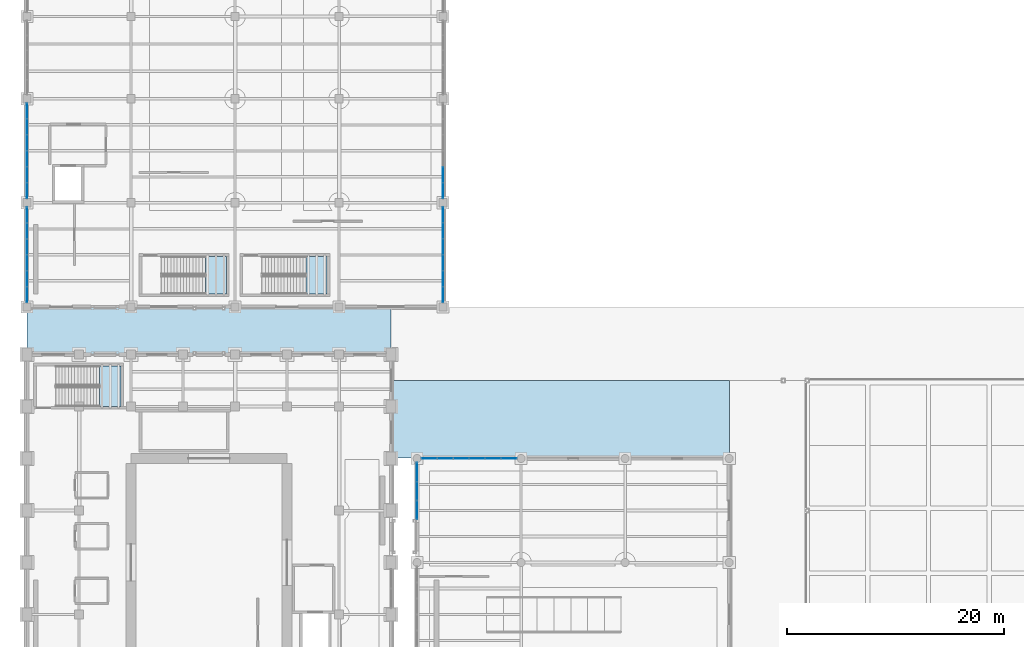
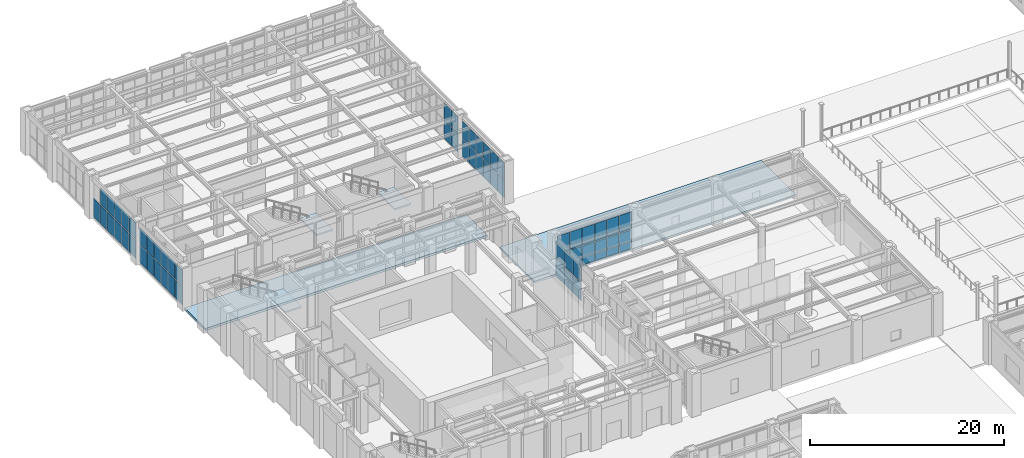
# One storey, part 119 of 164: 57 plates, 5 slabs, 9 elements without a shape of their own.
"""IFC4 building model written with IfcOpenShell, lengths in metres."""

import ifcopenshell
import ifcopenshell.guid

model = None  # the IFC model being written
_history = None  # IfcOwnerHistory: only IFC2X3 demands one
_inside = {}  # id of a spatial element -> (the spatial element, [elements in it])
_under = {}  # id of a project, library or spatial element -> (it, [spatial elements below it])
_declared = {}  # id of a project -> (the project, [libraries it declares])
_typed = {}  # id of a type object -> (the type object, [elements of that type])
_made_of = {}  # id of a material, layer set ... -> (it, [elements and type objects made of it])


def new_model(schema):
    """Start an empty IFC model of exactly this schema.

    Asked for "IFC4X3", IfcOpenShell would pick the latest addendum, in which some entities
    have other attributes; the version numbers below select the first issue.
    IFC2X3 requires an IfcOwnerHistory on every rooted entity: one is made here for all.
    """
    global model, _history
    if schema == "IFC4X3":
        model = ifcopenshell.file(schema_version=(4, 3, 0, 0))
    else:
        model = ifcopenshell.file(schema=schema)
    _inside.clear()
    _under.clear()
    _declared.clear()
    _typed.clear()
    _made_of.clear()
    _history = None
    if model.schema == "IFC2X3":
        org = make("IfcOrganization", Name="unknown")
        user = make(
            "IfcPersonAndOrganization",
            ThePerson=make("IfcPerson", FamilyName="unknown"),
            TheOrganization=org,
        )
        app = make(
            "IfcApplication",
            ApplicationDeveloper=org,
            Version="unknown",
            ApplicationFullName="unknown",
            ApplicationIdentifier="unknown",
        )
        _history = make(
            "IfcOwnerHistory",
            OwningUser=user,
            OwningApplication=app,
            ChangeAction="ADDED",
            CreationDate=0,
        )
    return model


def make(cls, **values):
    """One entity of the class cls with the attributes given. An attribute that is None is left unset."""
    return model.create_entity(
        cls, **{name: value for name, value in values.items() if value is not None}
    )


def rooted(cls, **values):
    """An entity with a GlobalId (a new one), such as an element, a storey or a relation."""
    return make(cls, GlobalId=ifcopenshell.guid.new(), OwnerHistory=_history, **values)


def si_unit(unit_type, name, prefix=None):
    """IfcSIUnit, for example si_unit("LENGTHUNIT", "METRE", prefix="MILLI")."""
    return make("IfcSIUnit", UnitType=unit_type, Prefix=prefix, Name=name)


def assignment(units):
    """IfcUnitAssignment: the units of a project."""
    return None if units is None else make("IfcUnitAssignment", Units=units)


def point(xyz):
    """IfcCartesianPoint."""
    return None if xyz is None else make("IfcCartesianPoint", Coordinates=xyz)


def direction(xyz):
    """IfcDirection."""
    return None if xyz is None else make("IfcDirection", DirectionRatios=xyz)


def frame(location, z_axis=None, x_axis=None):
    """IfcAxis2Placement3D, a coordinate frame: its origin and axes. An axis left out is left unset."""
    return make(
        "IfcAxis2Placement3D",
        Location=point(location),
        Axis=direction(z_axis),
        RefDirection=direction(x_axis),
    )


def frame_2d(location, x_axis=None):
    """IfcAxis2Placement2D, a coordinate frame in the plane: its origin and x axis."""
    return make(
        "IfcAxis2Placement2D", Location=point(location), RefDirection=direction(x_axis)
    )


def origin():
    """The frame at (0, 0, 0) with its axes left unset."""
    return frame((0.0, 0.0, 0.0))


def origin_2d():
    """The frame at (0, 0) in the plane with its x axis left unset."""
    return frame_2d((0.0, 0.0))


def place(relative_to, where):
    """IfcLocalPlacement: puts the frame where relative to a parent placement (None: the world)."""
    return make(
        "IfcLocalPlacement", PlacementRelTo=relative_to, RelativePlacement=where
    )


def context(
    kind, dimensions, precision=None, world=None, true_north=None, identifier=None
):
    """IfcGeometricRepresentationContext, for example the 3D "Model" context."""
    return make(
        "IfcGeometricRepresentationContext",
        ContextIdentifier=identifier,
        ContextType=kind,
        CoordinateSpaceDimension=dimensions,
        Precision=precision,
        WorldCoordinateSystem=world,
        TrueNorth=true_north,
    )


def subcontext(parent, identifier, kind, view, scale=None):
    """IfcGeometricRepresentationSubContext, for example "Body" below "Model"."""
    return make(
        "IfcGeometricRepresentationSubContext",
        ContextIdentifier=identifier,
        ContextType=kind,
        ParentContext=parent,
        TargetScale=scale,
        TargetView=view,
    )


def project(units=None, contexts=None):
    """IfcProject with its units and contexts."""
    return rooted(
        "IfcProject",
        Name="project",
        RepresentationContexts=contexts,
        UnitsInContext=assignment(units),
    )


def spatial(cls, under=None, at=None, **own):
    """A site, building, storey or space (cls), placed at a placement, below another one or the project."""
    s = rooted(cls, ObjectPlacement=at, **own)
    if under is not None:
        _under.setdefault(under.id(), (under, []))[1].append(s)
    return s


def polyline(points):
    """IfcPolyline through the points."""
    return make("IfcPolyline", Points=[point(p) for p in points])


def profile(cls, at=None, kind="AREA", **sizes):
    """A parametric profile (cls). Its sizes go by their IFC names, for example OverallWidth=200.0."""
    return make(cls, ProfileType=kind, Position=at, **sizes)


def rectangle(**sizes):
    """IfcRectangleProfileDef."""
    return profile("IfcRectangleProfileDef", **sizes)


def outline(outer, holes=None, kind="AREA"):
    """IfcArbitraryClosedProfileDef: a profile drawn as a closed curve; with holes, ...WithVoids."""
    if holes is None:
        return make("IfcArbitraryClosedProfileDef", ProfileType=kind, OuterCurve=outer)
    return make(
        "IfcArbitraryProfileDefWithVoids",
        ProfileType=kind,
        OuterCurve=outer,
        InnerCurves=holes,
    )


def extrude(swept, where, along, depth):
    """IfcExtrudedAreaSolid: the profile swept, set in the frame where, extruded along a direction by depth."""
    return make(
        "IfcExtrudedAreaSolid",
        SweptArea=swept,
        Position=where,
        ExtrudedDirection=direction(along),
        Depth=depth,
    )


def shape(context_of_items, identifier, shape_type, items):
    """IfcShapeRepresentation: the items that make up one representation, for example the "Body"."""
    return make(
        "IfcShapeRepresentation",
        ContextOfItems=context_of_items,
        RepresentationIdentifier=identifier,
        RepresentationType=shape_type,
        Items=items,
    )


def material(Name=None, Category=None):
    """IfcMaterial."""
    return make("IfcMaterial", Name=Name, Category=Category)


def layer(
    of_material, thickness, ventilated=None, Name=None, Category=None, Priority=None
):
    """IfcMaterialLayer: one layer of a wall or slab, of a material (None: an air gap)."""
    return make(
        "IfcMaterialLayer",
        Material=of_material,
        LayerThickness=thickness,
        IsVentilated=ventilated,
        Name=Name,
        Category=Category,
        Priority=Priority,
    )


def layer_set(layers, Name=None):
    """IfcMaterialLayerSet."""
    return make("IfcMaterialLayerSet", MaterialLayers=layers, LayerSetName=Name)


def made_of(thing, what):
    """Note that an element or type object is made of a material, layer set ...; save() writes the relation."""
    if what is not None:
        _made_of.setdefault(what.id(), (what, []))[1].append(thing)
    return thing


def type_object(cls, material=None, **own):
    """A type object (cls), such as IfcWallType, which elements share."""
    return made_of(rooted(cls, **own), material)


def element(
    cls,
    number,
    at=None,
    inside=None,
    cuts=None,
    type_object=None,
    material=None,
    context=None,
    identifier="Body",
    shape_type=None,
    held_by="IfcProductDefinitionShape",
    body=None,
    shapes=None,
    **own,
):
    """One element of the class cls, such as IfcWall. Its Tag is "e" and its number.

    at: its placement. inside: the storey or other place that contains it. cuts: it is an
    opening in that element (IfcRelVoidsElement). A single representation is given by context,
    identifier, shape_type and body (its items); several are given by shapes. held_by: the class
    of the entity that holds the representations. save() writes the other relations.
    """
    e = rooted(cls, Tag="e%d" % number, ObjectPlacement=at, **own)
    if body is not None:
        shapes = [shape(context, identifier, shape_type, body)]
    if shapes is not None:
        e.Representation = make(held_by, Representations=shapes)
    if inside is not None:
        _inside.setdefault(inside.id(), (inside, []))[1].append(e)
    if cuts is not None:
        rooted(
            "IfcRelVoidsElement", RelatingBuildingElement=cuts, RelatedOpeningElement=e
        )
    if type_object is not None:
        _typed.setdefault(type_object.id(), (type_object, []))[1].append(e)
    return made_of(e, material)


def aggregate(whole, parts):
    """IfcRelAggregates: a whole, such as a stair, and the parts it consists of."""
    return rooted("IfcRelAggregates", RelatingObject=whole, RelatedObjects=parts)


def save(model, path):
    """Write the relations noted so far, then the file.

    IfcRelAggregates (storeys below a building ...), IfcRelContainedInSpatialStructure (elements
    in a storey), IfcRelDefinesByType, IfcRelAssociatesMaterial and IfcRelDeclares: one each for
    every whole, place, type object, material and project.
    """
    for whole, parts in _under.values():
        aggregate(whole, parts)
    for where, things in _inside.values():
        rooted(
            "IfcRelContainedInSpatialStructure",
            RelatedElements=things,
            RelatingStructure=where,
        )
    for kind, things in _typed.values():
        rooted("IfcRelDefinesByType", RelatedObjects=things, RelatingType=kind)
    for what, things in _made_of.values():
        rooted("IfcRelAssociatesMaterial", RelatedObjects=things, RelatingMaterial=what)
    for by, libraries in _declared.values():
        rooted("IfcRelDeclares", RelatingContext=by, RelatedDefinitions=libraries)
    model.write(path)


model = new_model("IFC4")

# Units and contexts
model_context = context("Model", 3, precision=1e-05, world=origin(), true_north=direction((0.0, 1.0)))
body_context = subcontext(model_context, "Body", "Model", "MODEL_VIEW")
ifc_project = project(units=[si_unit("LENGTHUNIT", "METRE"), si_unit("AREAUNIT", "SQUARE_METRE"), si_unit("VOLUMEUNIT", "CUBIC_METRE"), si_unit("PLANEANGLEUNIT", "RADIAN"), si_unit("MASSUNIT", "GRAM", prefix="KILO")], contexts=[model_context])

# Site, building, storey
site_placement = place(None, origin())
site = spatial("IfcSite", under=ifc_project, at=site_placement, CompositionType="ELEMENT")
building_placement = place(site_placement, origin())
building = spatial("IfcBuilding", under=site, at=building_placement, Name="Mavantir Sound Aquarium", CompositionType="ELEMENT")
storey_placement = place(building_placement, origin())
storey = spatial("IfcBuildingStorey", under=building, at=storey_placement, Name="L00", CompositionType="ELEMENT", Elevation=0.0)

# Curtain wall, plates
ifc_material_1 = material(Name="Anodised Marine Aluminium and Low-E Glass", Category="aluminium")
curtain_wall_type_1 = type_object("IfcCurtainWallType", Name="CW-T03", PredefinedType="USERDEFINED", material=ifc_material_1)
curtain_wall_1_placement = place(storey_placement, origin())
curtain_wall_1 = element("IfcCurtainWall", 1, at=curtain_wall_1_placement, inside=storey, type_object=curtain_wall_type_1, Name="L00 unitised curtain wall CW-03 3", ObjectType="UNITISED GLAZING", PredefinedType="USERDEFINED")
ifc_material_2 = material(Name="Solar-Control Laminated Low-E Glass", Category="glass")
ifc_layer_1 = layer(ifc_material_2, 0.028076171875, Name="Solar-Control Laminated Low-E Glass")
ifc_layer_set_1 = layer_set([ifc_layer_1], Name="Solar-Control Laminated Low-E Glass")
plate_type_1 = type_object("IfcPlateType", Name="CW-PNL-28", PredefinedType="CURTAIN_PANEL", material=ifc_layer_set_1)
plate_1_placement = place(storey_placement, frame((36.0, 68.3447265625, 0.10302734375), z_axis=(0.0, 0.0, 1.0), x_axis=(0.0, -1.0, 0.0)))
plate_1 = element("IfcPlate", 2, at=plate_1_placement, type_object=plate_type_1, Name="CW-L00-003 glazed curtain panel 1.1", PredefinedType="CURTAIN_PANEL", context=body_context, shape_type="SweptSolid", body=[
    extrude(rectangle(XDim=1.69677734375, YDim=0.028076171875, at=origin_2d()), origin(), (0.0, 0.0, 1.0), 2.251953125),
])
plate_2_placement = place(storey_placement, frame((36.0, 68.3447265625, 2.45068359375), z_axis=(0.0, 0.0, 1.0), x_axis=(0.0, -1.0, 0.0)))
plate_2 = element("IfcPlate", 3, at=plate_2_placement, type_object=plate_type_1, Name="CW-L00-003 glazed curtain panel 1.2", PredefinedType="CURTAIN_PANEL", context=body_context, shape_type="SweptSolid", body=[
    extrude(rectangle(XDim=1.69677734375, YDim=0.028076171875, at=origin_2d()), origin(), (0.0, 0.0, 1.0), 2.067138671875),
])
plate_3_placement = place(storey_placement, frame((36.0, 66.60009765625, 0.10302734375), z_axis=(0.0, 0.0, 1.0), x_axis=(0.0, -1.0, 0.0)))
plate_3 = element("IfcPlate", 4, at=plate_3_placement, type_object=plate_type_1, Name="CW-L00-003 glazed curtain panel 2.1", PredefinedType="CURTAIN_PANEL", context=body_context, shape_type="SweptSolid", body=[
    extrude(rectangle(XDim=1.69677734375, YDim=0.028076171875, at=origin_2d()), origin(), (0.0, 0.0, 1.0), 2.251953125),
])
plate_4_placement = place(storey_placement, frame((36.0, 66.60009765625, 2.45068359375), z_axis=(0.0, 0.0, 1.0), x_axis=(0.0, -1.0, 0.0)))
plate_4 = element("IfcPlate", 5, at=plate_4_placement, type_object=plate_type_1, Name="CW-L00-003 glazed curtain panel 2.2", PredefinedType="CURTAIN_PANEL", context=body_context, shape_type="SweptSolid", body=[
    extrude(rectangle(XDim=1.69677734375, YDim=0.028076171875, at=origin_2d()), origin(), (0.0, 0.0, 1.0), 2.067138671875),
])
plate_5_placement = place(storey_placement, frame((36.0, 64.855224609375, 0.10302734375), z_axis=(0.0, 0.0, 1.0), x_axis=(0.0, -1.0, 0.0)))
plate_5 = element("IfcPlate", 6, at=plate_5_placement, type_object=plate_type_1, Name="CW-L00-003 glazed curtain panel 3.1", PredefinedType="CURTAIN_PANEL", context=body_context, shape_type="SweptSolid", body=[
    extrude(rectangle(XDim=1.69677734375, YDim=0.028076171875, at=origin_2d()), origin(), (0.0, 0.0, 1.0), 2.251953125),
])
plate_6_placement = place(storey_placement, frame((36.0, 64.855224609375, 2.45068359375), z_axis=(0.0, 0.0, 1.0), x_axis=(0.0, -1.0, 0.0)))
plate_6 = element("IfcPlate", 7, at=plate_6_placement, type_object=plate_type_1, Name="CW-L00-003 glazed curtain panel 3.2", PredefinedType="CURTAIN_PANEL", context=body_context, shape_type="SweptSolid", body=[
    extrude(rectangle(XDim=1.69677734375, YDim=0.028076171875, at=origin_2d()), origin(), (0.0, 0.0, 1.0), 2.067138671875),
])
aggregate(curtain_wall_1, [plate_1, plate_2, plate_3, plate_4, plate_5, plate_6])

curtain_wall_type_2 = type_object("IfcCurtainWallType", Name="CW-T07", PredefinedType="USERDEFINED", material=ifc_material_1)
curtain_wall_2_placement = place(storey_placement, origin())
curtain_wall_2 = element("IfcCurtainWall", 8, at=curtain_wall_2_placement, inside=storey, type_object=curtain_wall_type_2, Name="L00 unitised curtain wall CW-07 31", ObjectType="UNITISED GLAZING", PredefinedType="USERDEFINED")
plate_7_placement = place(storey_placement, frame((38.39990234375, 84.71923828125, 0.10302734375), z_axis=(0.0, 0.0, 1.0), x_axis=(0.0, 1.0, 0.0)))
plate_7 = element("IfcPlate", 9, at=plate_7_placement, type_object=plate_type_1, Name="CW-L00-031 glazed curtain panel 1.1", PredefinedType="CURTAIN_PANEL", context=body_context, shape_type="SweptSolid", body=[
    extrude(rectangle(XDim=1.42431640625, YDim=0.028076171875, at=origin_2d()), origin(), (0.0, 0.0, 1.0), 2.2666015625),
])
plate_8_placement = place(storey_placement, frame((38.39990234375, 84.71923828125, 2.46533203125), z_axis=(0.0, 0.0, 1.0), x_axis=(0.0, 1.0, 0.0)))
plate_8 = element("IfcPlate", 10, at=plate_8_placement, type_object=plate_type_1, Name="CW-L00-031 glazed curtain panel 1.2", PredefinedType="CURTAIN_PANEL", context=body_context, shape_type="SweptSolid", body=[
    extrude(rectangle(XDim=1.42431640625, YDim=0.028076171875, at=origin_2d()), origin(), (0.0, 0.0, 1.0), 2.08056640625),
])
plate_9_placement = place(storey_placement, frame((38.39990234375, 86.19140625, 0.10302734375), z_axis=(0.0, 0.0, 1.0), x_axis=(0.0, 1.0, 0.0)))
plate_9 = element("IfcPlate", 11, at=plate_9_placement, type_object=plate_type_1, Name="CW-L00-031 glazed curtain panel 2.1", PredefinedType="CURTAIN_PANEL", context=body_context, shape_type="SweptSolid", body=[
    extrude(rectangle(XDim=1.42431640625, YDim=0.028076171875, at=origin_2d()), origin(), (0.0, 0.0, 1.0), 2.2666015625),
])
plate_10_placement = place(storey_placement, frame((38.39990234375, 86.19140625, 2.46533203125), z_axis=(0.0, 0.0, 1.0), x_axis=(0.0, 1.0, 0.0)))
plate_10 = element("IfcPlate", 12, at=plate_10_placement, type_object=plate_type_1, Name="CW-L00-031 glazed curtain panel 2.2", PredefinedType="CURTAIN_PANEL", context=body_context, shape_type="SweptSolid", body=[
    extrude(rectangle(XDim=1.42431640625, YDim=0.028076171875, at=origin_2d()), origin(), (0.0, 0.0, 1.0), 2.08056640625),
])
plate_11_placement = place(storey_placement, frame((38.39990234375, 87.663818359375, 0.10302734375), z_axis=(0.0, 0.0, 1.0), x_axis=(0.0, 1.0, 0.0)))
plate_11 = element("IfcPlate", 13, at=plate_11_placement, type_object=plate_type_1, Name="CW-L00-031 glazed curtain panel 3.1", PredefinedType="CURTAIN_PANEL", context=body_context, shape_type="SweptSolid", body=[
    extrude(rectangle(XDim=1.42431640625, YDim=0.028076171875, at=origin_2d()), origin(), (0.0, 0.0, 1.0), 2.2666015625),
])
plate_12_placement = place(storey_placement, frame((38.39990234375, 87.663818359375, 2.46533203125), z_axis=(0.0, 0.0, 1.0), x_axis=(0.0, 1.0, 0.0)))
plate_12 = element("IfcPlate", 14, at=plate_12_placement, type_object=plate_type_1, Name="CW-L00-031 glazed curtain panel 3.2", PredefinedType="CURTAIN_PANEL", context=body_context, shape_type="SweptSolid", body=[
    extrude(rectangle(XDim=1.42431640625, YDim=0.028076171875, at=origin_2d()), origin(), (0.0, 0.0, 1.0), 2.08056640625),
])
plate_13_placement = place(storey_placement, frame((38.39990234375, 89.13623046875, 0.10302734375), z_axis=(0.0, 0.0, 1.0), x_axis=(0.0, 1.0, 0.0)))
plate_13 = element("IfcPlate", 15, at=plate_13_placement, type_object=plate_type_1, Name="CW-L00-031 glazed curtain panel 4.1", PredefinedType="CURTAIN_PANEL", context=body_context, shape_type="SweptSolid", body=[
    extrude(rectangle(XDim=1.42431640625, YDim=0.028076171875, at=origin_2d()), origin(), (0.0, 0.0, 1.0), 2.2666015625),
])
plate_14_placement = place(storey_placement, frame((38.39990234375, 89.13623046875, 2.46533203125), z_axis=(0.0, 0.0, 1.0), x_axis=(0.0, 1.0, 0.0)))
plate_14 = element("IfcPlate", 16, at=plate_14_placement, type_object=plate_type_1, Name="CW-L00-031 glazed curtain panel 4.2", PredefinedType="CURTAIN_PANEL", context=body_context, shape_type="SweptSolid", body=[
    extrude(rectangle(XDim=1.42431640625, YDim=0.028076171875, at=origin_2d()), origin(), (0.0, 0.0, 1.0), 2.08056640625),
])
plate_15_placement = place(storey_placement, frame((38.39990234375, 90.6083984375, 0.10302734375), z_axis=(0.0, 0.0, 1.0), x_axis=(0.0, 1.0, 0.0)))
plate_15 = element("IfcPlate", 17, at=plate_15_placement, type_object=plate_type_1, Name="CW-L00-031 glazed curtain panel 5.1", PredefinedType="CURTAIN_PANEL", context=body_context, shape_type="SweptSolid", body=[
    extrude(rectangle(XDim=1.42431640625, YDim=0.028076171875, at=origin_2d()), origin(), (0.0, 0.0, 1.0), 2.2666015625),
])
plate_16_placement = place(storey_placement, frame((38.39990234375, 90.6083984375, 2.46533203125), z_axis=(0.0, 0.0, 1.0), x_axis=(0.0, 1.0, 0.0)))
plate_16 = element("IfcPlate", 18, at=plate_16_placement, type_object=plate_type_1, Name="CW-L00-031 glazed curtain panel 5.2", PredefinedType="CURTAIN_PANEL", context=body_context, shape_type="SweptSolid", body=[
    extrude(rectangle(XDim=1.42431640625, YDim=0.028076171875, at=origin_2d()), origin(), (0.0, 0.0, 1.0), 2.08056640625),
])
plate_17_placement = place(storey_placement, frame((38.39990234375, 92.080810546875, 0.10302734375), z_axis=(0.0, 0.0, 1.0), x_axis=(0.0, 1.0, 0.0)))
plate_17 = element("IfcPlate", 19, at=plate_17_placement, type_object=plate_type_1, Name="CW-L00-031 glazed curtain panel 6.1", PredefinedType="CURTAIN_PANEL", context=body_context, shape_type="SweptSolid", body=[
    extrude(rectangle(XDim=1.42431640625, YDim=0.028076171875, at=origin_2d()), origin(), (0.0, 0.0, 1.0), 2.2666015625),
])
plate_18_placement = place(storey_placement, frame((38.39990234375, 92.080810546875, 2.46533203125), z_axis=(0.0, 0.0, 1.0), x_axis=(0.0, 1.0, 0.0)))
plate_18 = element("IfcPlate", 20, at=plate_18_placement, type_object=plate_type_1, Name="CW-L00-031 glazed curtain panel 6.2", PredefinedType="CURTAIN_PANEL", context=body_context, shape_type="SweptSolid", body=[
    extrude(rectangle(XDim=1.42431640625, YDim=0.028076171875, at=origin_2d()), origin(), (0.0, 0.0, 1.0), 2.08056640625),
])
aggregate(curtain_wall_2, [plate_7, plate_8, plate_9, plate_10, plate_11, plate_12, plate_13, plate_14, plate_15, plate_16, plate_17, plate_18])

curtain_wall_type_3 = type_object("IfcCurtainWallType", Name="CW-T21", PredefinedType="USERDEFINED", material=ifc_material_1)
curtain_wall_3_placement = place(storey_placement, origin())
curtain_wall_3 = element("IfcCurtainWall", 21, at=curtain_wall_3_placement, inside=storey, type_object=curtain_wall_type_3, Name="L00 unitised curtain wall CW-21 45", ObjectType="UNITISED GLAZING", PredefinedType="USERDEFINED")
plate_19_placement = place(storey_placement, frame((0.0, 101.680908203125, 0.10302734375), z_axis=(0.0, 0.0, 1.0), x_axis=(0.0, -1.0, 0.0)))
plate_19 = element("IfcPlate", 22, at=plate_19_placement, type_object=plate_type_1, Name="CW-L00-045 glazed curtain panel 1.1", PredefinedType="CURTAIN_PANEL", context=body_context, shape_type="SweptSolid", body=[
    extrude(rectangle(XDim=1.42431640625, YDim=0.028076171875, at=origin_2d()), origin(), (0.0, 0.0, 1.0), 2.322021484375),
])
plate_20_placement = place(storey_placement, frame((0.0, 100.20849609375, 0.10302734375), z_axis=(0.0, 0.0, 1.0), x_axis=(0.0, -1.0, 0.0)))
plate_20 = element("IfcPlate", 23, at=plate_20_placement, type_object=plate_type_1, Name="CW-L00-045 glazed curtain panel 2.1", PredefinedType="CURTAIN_PANEL", context=body_context, shape_type="SweptSolid", body=[
    extrude(rectangle(XDim=1.42431640625, YDim=0.028076171875, at=origin_2d()), origin(), (0.0, 0.0, 1.0), 2.322021484375),
])
plate_21_placement = place(storey_placement, frame((0.0, 100.20849609375, 2.52099609375), z_axis=(0.0, 0.0, 1.0), x_axis=(0.0, -1.0, 0.0)))
plate_21 = element("IfcPlate", 24, at=plate_21_placement, type_object=plate_type_1, Name="CW-L00-045 glazed curtain panel 2.2", PredefinedType="CURTAIN_PANEL", context=body_context, shape_type="SweptSolid", body=[
    extrude(rectangle(XDim=1.42431640625, YDim=0.028076171875, at=origin_2d()), origin(), (0.0, 0.0, 1.0), 2.1318359375),
])
plate_22_placement = place(storey_placement, frame((0.0, 98.736083984375, 0.10302734375), z_axis=(0.0, 0.0, 1.0), x_axis=(0.0, -1.0, 0.0)))
plate_22 = element("IfcPlate", 25, at=plate_22_placement, type_object=plate_type_1, Name="CW-L00-045 glazed curtain panel 3.1", PredefinedType="CURTAIN_PANEL", context=body_context, shape_type="SweptSolid", body=[
    extrude(rectangle(XDim=1.42431640625, YDim=0.028076171875, at=origin_2d()), origin(), (0.0, 0.0, 1.0), 2.322021484375),
])
plate_23_placement = place(storey_placement, frame((0.0, 98.736083984375, 2.52099609375), z_axis=(0.0, 0.0, 1.0), x_axis=(0.0, -1.0, 0.0)))
plate_23 = element("IfcPlate", 26, at=plate_23_placement, type_object=plate_type_1, Name="CW-L00-045 glazed curtain panel 3.2", PredefinedType="CURTAIN_PANEL", context=body_context, shape_type="SweptSolid", body=[
    extrude(rectangle(XDim=1.42431640625, YDim=0.028076171875, at=origin_2d()), origin(), (0.0, 0.0, 1.0), 2.1318359375),
])
plate_24_placement = place(storey_placement, frame((0.0, 97.263916015625, 0.10302734375), z_axis=(0.0, 0.0, 1.0), x_axis=(0.0, -1.0, 0.0)))
plate_24 = element("IfcPlate", 27, at=plate_24_placement, type_object=plate_type_1, Name="CW-L00-045 glazed curtain panel 4.1", PredefinedType="CURTAIN_PANEL", context=body_context, shape_type="SweptSolid", body=[
    extrude(rectangle(XDim=1.42431640625, YDim=0.028076171875, at=origin_2d()), origin(), (0.0, 0.0, 1.0), 2.322021484375),
])
plate_25_placement = place(storey_placement, frame((0.0, 97.263916015625, 2.52099609375), z_axis=(0.0, 0.0, 1.0), x_axis=(0.0, -1.0, 0.0)))
plate_25 = element("IfcPlate", 28, at=plate_25_placement, type_object=plate_type_1, Name="CW-L00-045 glazed curtain panel 4.2", PredefinedType="CURTAIN_PANEL", context=body_context, shape_type="SweptSolid", body=[
    extrude(rectangle(XDim=1.42431640625, YDim=0.028076171875, at=origin_2d()), origin(), (0.0, 0.0, 1.0), 2.1318359375),
])
plate_26_placement = place(storey_placement, frame((0.0, 95.79150390625, 0.10302734375), z_axis=(0.0, 0.0, 1.0), x_axis=(0.0, -1.0, 0.0)))
plate_26 = element("IfcPlate", 29, at=plate_26_placement, type_object=plate_type_1, Name="CW-L00-045 glazed curtain panel 5.1", PredefinedType="CURTAIN_PANEL", context=body_context, shape_type="SweptSolid", body=[
    extrude(rectangle(XDim=1.42431640625, YDim=0.028076171875, at=origin_2d()), origin(), (0.0, 0.0, 1.0), 2.322021484375),
])
plate_27_placement = place(storey_placement, frame((0.0, 95.79150390625, 2.52099609375), z_axis=(0.0, 0.0, 1.0), x_axis=(0.0, -1.0, 0.0)))
plate_27 = element("IfcPlate", 30, at=plate_27_placement, type_object=plate_type_1, Name="CW-L00-045 glazed curtain panel 5.2", PredefinedType="CURTAIN_PANEL", context=body_context, shape_type="SweptSolid", body=[
    extrude(rectangle(XDim=1.42431640625, YDim=0.028076171875, at=origin_2d()), origin(), (0.0, 0.0, 1.0), 2.1318359375),
])
plate_28_placement = place(storey_placement, frame((0.0, 94.319091796875, 0.10302734375), z_axis=(0.0, 0.0, 1.0), x_axis=(0.0, -1.0, 0.0)))
plate_28 = element("IfcPlate", 31, at=plate_28_placement, type_object=plate_type_1, Name="CW-L00-045 glazed curtain panel 6.1", PredefinedType="CURTAIN_PANEL", context=body_context, shape_type="SweptSolid", body=[
    extrude(rectangle(XDim=1.42431640625, YDim=0.028076171875, at=origin_2d()), origin(), (0.0, 0.0, 1.0), 2.322021484375),
])
plate_29_placement = place(storey_placement, frame((0.0, 94.319091796875, 2.52099609375), z_axis=(0.0, 0.0, 1.0), x_axis=(0.0, -1.0, 0.0)))
plate_29 = element("IfcPlate", 32, at=plate_29_placement, type_object=plate_type_1, Name="CW-L00-045 glazed curtain panel 6.2", PredefinedType="CURTAIN_PANEL", context=body_context, shape_type="SweptSolid", body=[
    extrude(rectangle(XDim=1.42431640625, YDim=0.028076171875, at=origin_2d()), origin(), (0.0, 0.0, 1.0), 2.1318359375),
])
aggregate(curtain_wall_3, [plate_19, plate_20, plate_21, plate_22, plate_23, plate_24, plate_25, plate_26, plate_27, plate_28, plate_29])

curtain_wall_type_4 = type_object("IfcCurtainWallType", Name="CW-T02", PredefinedType="USERDEFINED", material=ifc_material_1)
curtain_wall_4_placement = place(storey_placement, origin())
curtain_wall_4 = element("IfcCurtainWall", 33, at=curtain_wall_4_placement, inside=storey, type_object=curtain_wall_type_4, Name="L00 unitised curtain wall CW-02 2", ObjectType="UNITISED GLAZING", PredefinedType="USERDEFINED")
ifc_layer_2 = layer(ifc_material_2, 0.031982421875, Name="Solar-Control Laminated Low-E Glass")
ifc_layer_set_2 = layer_set([ifc_layer_2], Name="Solar-Control Laminated Low-E Glass")
plate_type_2 = type_object("IfcPlateType", Name="CW-PNL-32", PredefinedType="CURTAIN_PANEL", material=ifc_layer_set_2)
plate_30_placement = place(storey_placement, frame((44.480712890625, 69.60009765625, 0.10302734375), z_axis=(0.0, 0.0, 1.0), x_axis=(-1.0, 0.0, 0.0)))
plate_30 = element("IfcPlate", 34, at=plate_30_placement, type_object=plate_type_2, Name="CW-L00-002 glazed curtain panel 1.1", PredefinedType="CURTAIN_PANEL", context=body_context, shape_type="SweptSolid", body=[
    extrude(rectangle(XDim=1.42431640625, YDim=0.031982421875, at=origin_2d()), origin(), (0.0, 0.0, 1.0), 2.377685546875),
])
plate_31_placement = place(storey_placement, frame((44.480712890625, 69.60009765625, 2.576904296875), z_axis=(0.0, 0.0, 1.0), x_axis=(-1.0, 0.0, 0.0)))
plate_31 = element("IfcPlate", 35, at=plate_31_placement, type_object=plate_type_2, Name="CW-L00-002 glazed curtain panel 1.2", PredefinedType="CURTAIN_PANEL", context=body_context, shape_type="SweptSolid", body=[
    extrude(rectangle(XDim=1.42431640625, YDim=0.031982421875, at=origin_2d()), origin(), (0.0, 0.0, 1.0), 2.18310546875),
])
plate_32_placement = place(storey_placement, frame((43.008544921875, 69.60009765625, 0.10302734375), z_axis=(0.0, 0.0, 1.0), x_axis=(-1.0, 0.0, 0.0)))
plate_32 = element("IfcPlate", 36, at=plate_32_placement, type_object=plate_type_2, Name="CW-L00-002 glazed curtain panel 2.1", PredefinedType="CURTAIN_PANEL", context=body_context, shape_type="SweptSolid", body=[
    extrude(rectangle(XDim=1.42431640625, YDim=0.031982421875, at=origin_2d()), origin(), (0.0, 0.0, 1.0), 2.377685546875),
])
plate_33_placement = place(storey_placement, frame((43.008544921875, 69.60009765625, 2.576904296875), z_axis=(0.0, 0.0, 1.0), x_axis=(-1.0, 0.0, 0.0)))
plate_33 = element("IfcPlate", 37, at=plate_33_placement, type_object=plate_type_2, Name="CW-L00-002 glazed curtain panel 2.2", PredefinedType="CURTAIN_PANEL", context=body_context, shape_type="SweptSolid", body=[
    extrude(rectangle(XDim=1.42431640625, YDim=0.031982421875, at=origin_2d()), origin(), (0.0, 0.0, 1.0), 2.18310546875),
])
plate_34_placement = place(storey_placement, frame((41.5361328125, 69.60009765625, 0.10302734375), z_axis=(0.0, 0.0, 1.0), x_axis=(-1.0, 0.0, 0.0)))
plate_34 = element("IfcPlate", 38, at=plate_34_placement, type_object=plate_type_2, Name="CW-L00-002 glazed curtain panel 3.1", PredefinedType="CURTAIN_PANEL", context=body_context, shape_type="SweptSolid", body=[
    extrude(rectangle(XDim=1.42431640625, YDim=0.031982421875, at=origin_2d()), origin(), (0.0, 0.0, 1.0), 2.377685546875),
])
plate_35_placement = place(storey_placement, frame((41.5361328125, 69.60009765625, 2.576904296875), z_axis=(0.0, 0.0, 1.0), x_axis=(-1.0, 0.0, 0.0)))
plate_35 = element("IfcPlate", 39, at=plate_35_placement, type_object=plate_type_2, Name="CW-L00-002 glazed curtain panel 3.2", PredefinedType="CURTAIN_PANEL", context=body_context, shape_type="SweptSolid", body=[
    extrude(rectangle(XDim=1.42431640625, YDim=0.031982421875, at=origin_2d()), origin(), (0.0, 0.0, 1.0), 2.18310546875),
])
plate_36_placement = place(storey_placement, frame((40.063720703125, 69.60009765625, 0.10302734375), z_axis=(0.0, 0.0, 1.0), x_axis=(-1.0, 0.0, 0.0)))
plate_36 = element("IfcPlate", 40, at=plate_36_placement, type_object=plate_type_2, Name="CW-L00-002 glazed curtain panel 4.1", PredefinedType="CURTAIN_PANEL", context=body_context, shape_type="SweptSolid", body=[
    extrude(rectangle(XDim=1.42431640625, YDim=0.031982421875, at=origin_2d()), origin(), (0.0, 0.0, 1.0), 2.377685546875),
])
plate_37_placement = place(storey_placement, frame((40.063720703125, 69.60009765625, 2.576904296875), z_axis=(0.0, 0.0, 1.0), x_axis=(-1.0, 0.0, 0.0)))
plate_37 = element("IfcPlate", 41, at=plate_37_placement, type_object=plate_type_2, Name="CW-L00-002 glazed curtain panel 4.2", PredefinedType="CURTAIN_PANEL", context=body_context, shape_type="SweptSolid", body=[
    extrude(rectangle(XDim=1.42431640625, YDim=0.031982421875, at=origin_2d()), origin(), (0.0, 0.0, 1.0), 2.18310546875),
])
plate_38_placement = place(storey_placement, frame((38.591552734375, 69.60009765625, 0.10302734375), z_axis=(0.0, 0.0, 1.0), x_axis=(-1.0, 0.0, 0.0)))
plate_38 = element("IfcPlate", 42, at=plate_38_placement, type_object=plate_type_2, Name="CW-L00-002 glazed curtain panel 5.1", PredefinedType="CURTAIN_PANEL", context=body_context, shape_type="SweptSolid", body=[
    extrude(rectangle(XDim=1.42431640625, YDim=0.031982421875, at=origin_2d()), origin(), (0.0, 0.0, 1.0), 2.377685546875),
])
plate_39_placement = place(storey_placement, frame((38.591552734375, 69.60009765625, 2.576904296875), z_axis=(0.0, 0.0, 1.0), x_axis=(-1.0, 0.0, 0.0)))
plate_39 = element("IfcPlate", 43, at=plate_39_placement, type_object=plate_type_2, Name="CW-L00-002 glazed curtain panel 5.2", PredefinedType="CURTAIN_PANEL", context=body_context, shape_type="SweptSolid", body=[
    extrude(rectangle(XDim=1.42431640625, YDim=0.031982421875, at=origin_2d()), origin(), (0.0, 0.0, 1.0), 2.18310546875),
])
plate_40_placement = place(storey_placement, frame((37.119140625, 69.60009765625, 0.10302734375), z_axis=(0.0, 0.0, 1.0), x_axis=(-1.0, 0.0, 0.0)))
plate_40 = element("IfcPlate", 44, at=plate_40_placement, type_object=plate_type_2, Name="CW-L00-002 glazed curtain panel 6.1", PredefinedType="CURTAIN_PANEL", context=body_context, shape_type="SweptSolid", body=[
    extrude(rectangle(XDim=1.42431640625, YDim=0.031982421875, at=origin_2d()), origin(), (0.0, 0.0, 1.0), 2.377685546875),
])
plate_41_placement = place(storey_placement, frame((37.119140625, 69.60009765625, 2.576904296875), z_axis=(0.0, 0.0, 1.0), x_axis=(-1.0, 0.0, 0.0)))
plate_41 = element("IfcPlate", 45, at=plate_41_placement, type_object=plate_type_2, Name="CW-L00-002 glazed curtain panel 6.2", PredefinedType="CURTAIN_PANEL", context=body_context, shape_type="SweptSolid", body=[
    extrude(rectangle(XDim=1.42431640625, YDim=0.031982421875, at=origin_2d()), origin(), (0.0, 0.0, 1.0), 2.18310546875),
])
aggregate(curtain_wall_4, [plate_30, plate_31, plate_32, plate_33, plate_34, plate_35, plate_36, plate_37, plate_38, plate_39, plate_40, plate_41])

curtain_wall_type_5 = type_object("IfcCurtainWallType", Name="CW-T08", PredefinedType="USERDEFINED", material=ifc_material_1)
curtain_wall_5_placement = place(storey_placement, origin())
curtain_wall_5 = element("IfcCurtainWall", 46, at=curtain_wall_5_placement, inside=storey, type_object=curtain_wall_type_5, Name="L00 unitised curtain wall CW-08 32", ObjectType="UNITISED GLAZING", PredefinedType="USERDEFINED")
plate_42_placement = place(storey_placement, frame((38.39990234375, 94.319091796875, 0.10302734375), z_axis=(0.0, 0.0, 1.0), x_axis=(0.0, 1.0, 0.0)))
plate_42 = element("IfcPlate", 47, at=plate_42_placement, type_object=plate_type_2, Name="CW-L00-032 glazed curtain panel 1.1", PredefinedType="CURTAIN_PANEL", context=body_context, shape_type="SweptSolid", body=[
    extrude(rectangle(XDim=1.42431640625, YDim=0.031982421875, at=origin_2d()), origin(), (0.0, 0.0, 1.0), 2.2666015625),
])
plate_43_placement = place(storey_placement, frame((38.39990234375, 94.319091796875, 2.46533203125), z_axis=(0.0, 0.0, 1.0), x_axis=(0.0, 1.0, 0.0)))
plate_43 = element("IfcPlate", 48, at=plate_43_placement, type_object=plate_type_2, Name="CW-L00-032 glazed curtain panel 1.2", PredefinedType="CURTAIN_PANEL", context=body_context, shape_type="SweptSolid", body=[
    extrude(rectangle(XDim=1.42431640625, YDim=0.031982421875, at=origin_2d()), origin(), (0.0, 0.0, 1.0), 2.08056640625),
])
plate_44_placement = place(storey_placement, frame((38.39990234375, 95.79150390625, 0.10302734375), z_axis=(0.0, 0.0, 1.0), x_axis=(0.0, 1.0, 0.0)))
plate_44 = element("IfcPlate", 49, at=plate_44_placement, type_object=plate_type_2, Name="CW-L00-032 glazed curtain panel 2.1", PredefinedType="CURTAIN_PANEL", context=body_context, shape_type="SweptSolid", body=[
    extrude(rectangle(XDim=1.42431640625, YDim=0.031982421875, at=origin_2d()), origin(), (0.0, 0.0, 1.0), 2.2666015625),
])
plate_45_placement = place(storey_placement, frame((38.39990234375, 95.79150390625, 2.46533203125), z_axis=(0.0, 0.0, 1.0), x_axis=(0.0, 1.0, 0.0)))
plate_45 = element("IfcPlate", 50, at=plate_45_placement, type_object=plate_type_2, Name="CW-L00-032 glazed curtain panel 2.2", PredefinedType="CURTAIN_PANEL", context=body_context, shape_type="SweptSolid", body=[
    extrude(rectangle(XDim=1.42431640625, YDim=0.031982421875, at=origin_2d()), origin(), (0.0, 0.0, 1.0), 2.08056640625),
])
aggregate(curtain_wall_5, [plate_42, plate_43, plate_44, plate_45])

curtain_wall_type_6 = type_object("IfcCurtainWallType", Name="CW-T22", PredefinedType="USERDEFINED", material=ifc_material_1)
curtain_wall_6_placement = place(storey_placement, origin())
curtain_wall_6 = element("IfcCurtainWall", 51, at=curtain_wall_6_placement, inside=storey, type_object=curtain_wall_type_6, Name="L00 unitised curtain wall CW-22 46", ObjectType="UNITISED GLAZING", PredefinedType="USERDEFINED")
plate_46_placement = place(storey_placement, frame((0.0, 92.080810546875, 0.10302734375), z_axis=(0.0, 0.0, 1.0), x_axis=(0.0, -1.0, 0.0)))
plate_46 = element("IfcPlate", 52, at=plate_46_placement, type_object=plate_type_2, Name="CW-L00-046 glazed curtain panel 1.1", PredefinedType="CURTAIN_PANEL", context=body_context, shape_type="SweptSolid", body=[
    extrude(rectangle(XDim=1.42431640625, YDim=0.031982421875, at=origin_2d()), origin(), (0.0, 0.0, 1.0), 2.2666015625),
])
plate_47_placement = place(storey_placement, frame((0.0, 92.080810546875, 2.46533203125), z_axis=(0.0, 0.0, 1.0), x_axis=(0.0, -1.0, 0.0)))
plate_47 = element("IfcPlate", 53, at=plate_47_placement, type_object=plate_type_2, Name="CW-L00-046 glazed curtain panel 1.2", PredefinedType="CURTAIN_PANEL", context=body_context, shape_type="SweptSolid", body=[
    extrude(rectangle(XDim=1.42431640625, YDim=0.031982421875, at=origin_2d()), origin(), (0.0, 0.0, 1.0), 2.08056640625),
])
plate_48_placement = place(storey_placement, frame((0.0, 90.6083984375, 0.10302734375), z_axis=(0.0, 0.0, 1.0), x_axis=(0.0, -1.0, 0.0)))
plate_48 = element("IfcPlate", 54, at=plate_48_placement, type_object=plate_type_2, Name="CW-L00-046 glazed curtain panel 2.1", PredefinedType="CURTAIN_PANEL", context=body_context, shape_type="SweptSolid", body=[
    extrude(rectangle(XDim=1.42431640625, YDim=0.031982421875, at=origin_2d()), origin(), (0.0, 0.0, 1.0), 2.2666015625),
])
plate_49_placement = place(storey_placement, frame((0.0, 90.6083984375, 2.46533203125), z_axis=(0.0, 0.0, 1.0), x_axis=(0.0, -1.0, 0.0)))
plate_49 = element("IfcPlate", 55, at=plate_49_placement, type_object=plate_type_2, Name="CW-L00-046 glazed curtain panel 2.2", PredefinedType="CURTAIN_PANEL", context=body_context, shape_type="SweptSolid", body=[
    extrude(rectangle(XDim=1.42431640625, YDim=0.031982421875, at=origin_2d()), origin(), (0.0, 0.0, 1.0), 2.08056640625),
])
plate_50_placement = place(storey_placement, frame((0.0, 89.13623046875, 0.10302734375), z_axis=(0.0, 0.0, 1.0), x_axis=(0.0, -1.0, 0.0)))
plate_50 = element("IfcPlate", 56, at=plate_50_placement, type_object=plate_type_2, Name="CW-L00-046 glazed curtain panel 3.1", PredefinedType="CURTAIN_PANEL", context=body_context, shape_type="SweptSolid", body=[
    extrude(rectangle(XDim=1.42431640625, YDim=0.031982421875, at=origin_2d()), origin(), (0.0, 0.0, 1.0), 2.2666015625),
])
plate_51_placement = place(storey_placement, frame((0.0, 89.13623046875, 2.46533203125), z_axis=(0.0, 0.0, 1.0), x_axis=(0.0, -1.0, 0.0)))
plate_51 = element("IfcPlate", 57, at=plate_51_placement, type_object=plate_type_2, Name="CW-L00-046 glazed curtain panel 3.2", PredefinedType="CURTAIN_PANEL", context=body_context, shape_type="SweptSolid", body=[
    extrude(rectangle(XDim=1.42431640625, YDim=0.031982421875, at=origin_2d()), origin(), (0.0, 0.0, 1.0), 2.08056640625),
])
plate_52_placement = place(storey_placement, frame((0.0, 87.663818359375, 0.10302734375), z_axis=(0.0, 0.0, 1.0), x_axis=(0.0, -1.0, 0.0)))
plate_52 = element("IfcPlate", 58, at=plate_52_placement, type_object=plate_type_2, Name="CW-L00-046 glazed curtain panel 4.1", PredefinedType="CURTAIN_PANEL", context=body_context, shape_type="SweptSolid", body=[
    extrude(rectangle(XDim=1.42431640625, YDim=0.031982421875, at=origin_2d()), origin(), (0.0, 0.0, 1.0), 2.2666015625),
])
plate_53_placement = place(storey_placement, frame((0.0, 87.663818359375, 2.46533203125), z_axis=(0.0, 0.0, 1.0), x_axis=(0.0, -1.0, 0.0)))
plate_53 = element("IfcPlate", 59, at=plate_53_placement, type_object=plate_type_2, Name="CW-L00-046 glazed curtain panel 4.2", PredefinedType="CURTAIN_PANEL", context=body_context, shape_type="SweptSolid", body=[
    extrude(rectangle(XDim=1.42431640625, YDim=0.031982421875, at=origin_2d()), origin(), (0.0, 0.0, 1.0), 2.08056640625),
])
plate_54_placement = place(storey_placement, frame((0.0, 86.19140625, 0.10302734375), z_axis=(0.0, 0.0, 1.0), x_axis=(0.0, -1.0, 0.0)))
plate_54 = element("IfcPlate", 60, at=plate_54_placement, type_object=plate_type_2, Name="CW-L00-046 glazed curtain panel 5.1", PredefinedType="CURTAIN_PANEL", context=body_context, shape_type="SweptSolid", body=[
    extrude(rectangle(XDim=1.42431640625, YDim=0.031982421875, at=origin_2d()), origin(), (0.0, 0.0, 1.0), 2.2666015625),
])
plate_55_placement = place(storey_placement, frame((0.0, 86.19140625, 2.46533203125), z_axis=(0.0, 0.0, 1.0), x_axis=(0.0, -1.0, 0.0)))
plate_55 = element("IfcPlate", 61, at=plate_55_placement, type_object=plate_type_2, Name="CW-L00-046 glazed curtain panel 5.2", PredefinedType="CURTAIN_PANEL", context=body_context, shape_type="SweptSolid", body=[
    extrude(rectangle(XDim=1.42431640625, YDim=0.031982421875, at=origin_2d()), origin(), (0.0, 0.0, 1.0), 2.08056640625),
])
plate_56_placement = place(storey_placement, frame((0.0, 84.71923828125, 0.10302734375), z_axis=(0.0, 0.0, 1.0), x_axis=(0.0, -1.0, 0.0)))
plate_56 = element("IfcPlate", 62, at=plate_56_placement, type_object=plate_type_2, Name="CW-L00-046 glazed curtain panel 6.1", PredefinedType="CURTAIN_PANEL", context=body_context, shape_type="SweptSolid", body=[
    extrude(rectangle(XDim=1.42431640625, YDim=0.031982421875, at=origin_2d()), origin(), (0.0, 0.0, 1.0), 2.2666015625),
])
plate_57_placement = place(storey_placement, frame((0.0, 84.71923828125, 2.46533203125), z_axis=(0.0, 0.0, 1.0), x_axis=(0.0, -1.0, 0.0)))
plate_57 = element("IfcPlate", 63, at=plate_57_placement, type_object=plate_type_2, Name="CW-L00-046 glazed curtain panel 6.2", PredefinedType="CURTAIN_PANEL", context=body_context, shape_type="SweptSolid", body=[
    extrude(rectangle(XDim=1.42431640625, YDim=0.031982421875, at=origin_2d()), origin(), (0.0, 0.0, 1.0), 2.08056640625),
])
aggregate(curtain_wall_6, [plate_46, plate_47, plate_48, plate_49, plate_50, plate_51, plate_52, plate_53, plate_54, plate_55, plate_56, plate_57])

# Slabs
ifc_material_3 = material(Name="Concrete C40/50", Category="concrete")
ifc_layer_3 = layer(ifc_material_3, 0.300048828125, Name="Concrete C40/50")
ifc_layer_set_3 = layer_set([ifc_layer_3], Name="Concrete C40/50")
slab_type_1 = type_object("IfcSlabType", Name="SLB-ES-01", PredefinedType="FLOOR", material=ifc_layer_set_3)
slab_1_placement = place(storey_placement, frame((0.0, 0.0, -0.300048828125)))
element("IfcSlab", 64, at=slab_1_placement, inside=storey, type_object=slab_type_1, Name="L00 outdoor apron slab ES-01", PredefinedType="FLOOR", context=body_context, shape_type="SweptSolid", body=[
    extrude(outline(polyline([(0.0, 79.25), (33.60009765625, 79.25), (33.60009765625, 83.550048828125), (0.0, 83.550048828125), (0.0, 79.25)])), origin(), (0.0, 0.0, 1.0), 0.300048828125),
])
ifc_layer_4 = layer(ifc_material_3, 0.25, Name="Concrete C40/50")
ifc_layer_set_4 = layer_set([ifc_layer_4], Name="Concrete C40/50")
slab_type_2 = type_object("IfcSlabType", Name="SLB-ES-02", PredefinedType="FLOOR", material=ifc_layer_set_4)
slab_2_placement = place(storey_placement, frame((0.0, 0.0, -0.25)))
element("IfcSlab", 65, at=slab_2_placement, inside=storey, type_object=slab_type_2, Name="L00 outdoor apron slab ES-02", PredefinedType="FLOOR", context=body_context, shape_type="SweptSolid", body=[
    extrude(outline(polyline([(33.64990234375, 69.64990234375), (64.85009765625, 69.64990234375), (64.85009765625, 76.800048828125), (33.64990234375, 76.800048828125), (33.64990234375, 69.64990234375)])), origin(), (0.0, 0.0, 1.0), 0.25),
])

# Stair, slab
stair_type_1 = type_object("IfcStairType", Name="STR-1800-5400", PredefinedType="HALF_TURN_STAIR", material=ifc_material_3)
stair_1_placement = place(storey_placement, origin())
stair_1 = element("IfcStair", 66, at=stair_1_placement, inside=storey, type_object=stair_type_1, Name="L00 Protected exit stair ST2", PredefinedType="HALF_TURN_STAIR")
ifc_layer_5 = layer(ifc_material_3, 0.199951171875, Name="Concrete C40/50")
ifc_layer_set_5 = layer_set([ifc_layer_5], Name="Concrete C40/50")
slab_type_3 = type_object("IfcSlabType", Name="SLB-LND-360", PredefinedType="LANDING", material=ifc_layer_set_5)
slab_3_placement = place(storey_placement, frame((0.0, 0.0, 2.5)))
slab_3 = element("IfcSlab", 67, at=slab_3_placement, type_object=slab_type_3, Name="ST2 landing 1", PredefinedType="LANDING", context=body_context, shape_type="SweptSolid", body=[
    extrude(outline(polyline([(6.7099609375, 74.39990234375), (8.64990234375, 74.39990234375), (8.64990234375, 78.14990234375), (6.7099609375, 78.14990234375), (6.7099609375, 74.39990234375)])), origin(), (0.0, 0.0, 1.0), 0.199951171875),
])
aggregate(stair_1, [slab_3])

stair_type_2 = type_object("IfcStairType", Name="STR-1650-5400", PredefinedType="HALF_TURN_STAIR", material=ifc_material_3)
stair_2_placement = place(storey_placement, origin())
stair_2 = element("IfcStair", 68, at=stair_2_placement, inside=storey, type_object=stair_type_2, Name="L00 Protected exit stair ST5", PredefinedType="HALF_TURN_STAIR")
slab_4_placement = place(storey_placement, frame((0.0, 0.0, 2.5)))
slab_4 = element("IfcSlab", 69, at=slab_4_placement, type_object=slab_type_3, Name="ST5 landing 1", PredefinedType="LANDING", context=body_context, shape_type="SweptSolid", body=[
    extrude(outline(polyline([(16.4599609375, 84.800048828125), (18.39990234375, 84.800048828125), (18.39990234375, 88.25), (16.4599609375, 88.25), (16.4599609375, 84.800048828125)])), origin(), (0.0, 0.0, 1.0), 0.199951171875),
])
aggregate(stair_2, [slab_4])

stair_3_placement = place(storey_placement, origin())
stair_3 = element("IfcStair", 70, at=stair_3_placement, inside=storey, type_object=stair_type_2, Name="L00 Protected exit stair ST7", PredefinedType="HALF_TURN_STAIR")
slab_5_placement = place(storey_placement, frame((0.0, 0.0, 2.5)))
slab_5 = element("IfcSlab", 71, at=slab_5_placement, type_object=slab_type_3, Name="ST7 landing 1", PredefinedType="LANDING", context=body_context, shape_type="SweptSolid", body=[
    extrude(outline(polyline([(25.760009765625, 84.800048828125), (27.699951171875, 84.800048828125), (27.699951171875, 88.25), (25.760009765625, 88.25), (25.760009765625, 84.800048828125)])), origin(), (0.0, 0.0, 1.0), 0.199951171875),
])
aggregate(stair_3, [slab_5])

save(model, "model.ifc")
